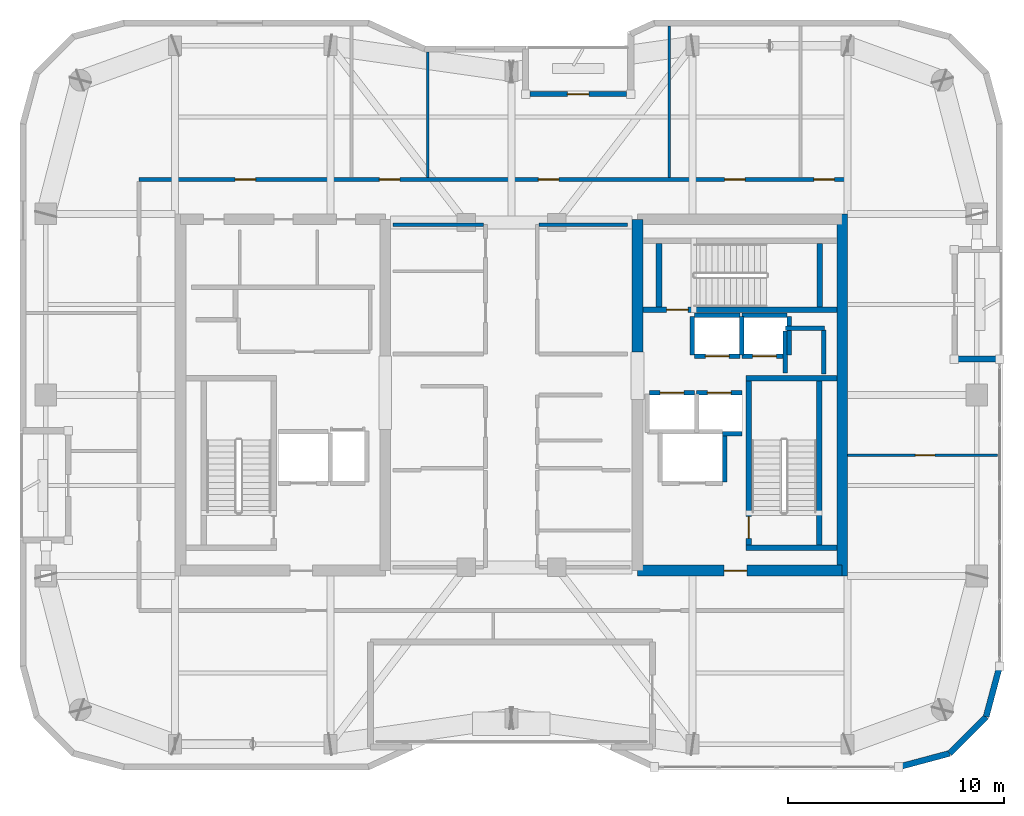
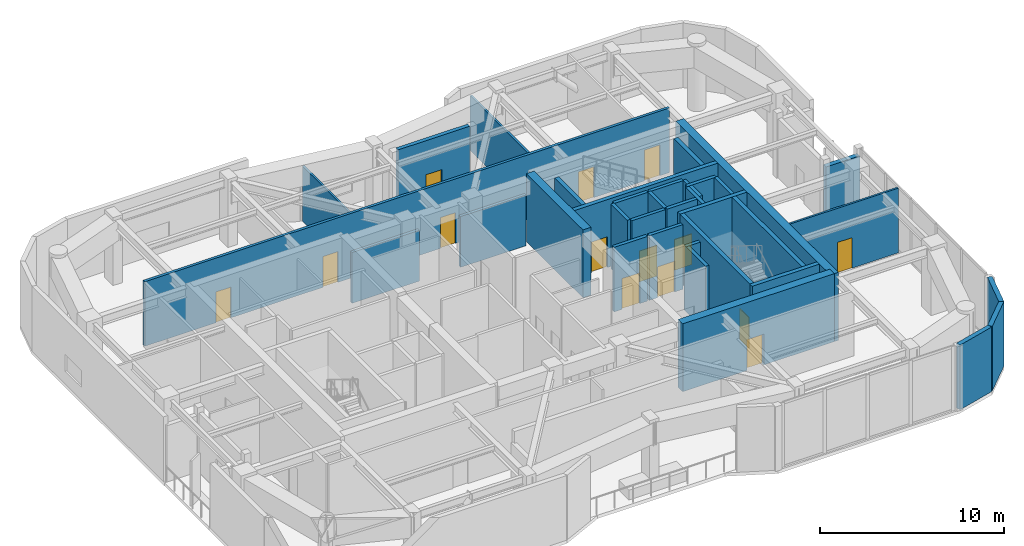
# One storey, part 11 of 14: 35 walls, 14 doors, 14 openings.
"""IFC4 building model written with IfcOpenShell, lengths in metres."""

from ifc_helpers import new_model, si_unit, direction, frame, frame_2d, origin, place, context, subcontext, project, spatial, rectangle, extrude, material, layer, layer_set, type_object, element, fill, save


model = new_model("IFC4")

# Units and contexts
model_context = context("Model", 3, precision=1e-05, world=origin(), true_north=direction((0.0, 1.0)))
body_context = subcontext(model_context, "Body", "Model", "MODEL_VIEW")
ifc_project = project(units=[si_unit("LENGTHUNIT", "METRE"), si_unit("AREAUNIT", "SQUARE_METRE"), si_unit("VOLUMEUNIT", "CUBIC_METRE"), si_unit("PLANEANGLEUNIT", "RADIAN"), si_unit("MASSUNIT", "GRAM", prefix="KILO")], contexts=[model_context])

# Site, building, storey
site_placement = place(None, origin())
site = spatial("IfcSite", under=ifc_project, at=site_placement, CompositionType="ELEMENT")
building_placement = place(site_placement, origin())
building = spatial("IfcBuilding", under=site, at=building_placement, Name="Kiyonajd Concourse Tower", CompositionType="ELEMENT")
storey_placement = place(building_placement, frame((0.0, 0.0, 294.0)))
storey = spatial("IfcBuildingStorey", under=building, at=storey_placement, Name="L74", CompositionType="ELEMENT", Elevation=294.0)

# Walls
ifc_material_1 = material(Name="Concrete C60/75", Category="concrete")
ifc_layer_1 = layer(ifc_material_1, 0.5)
ifc_layer_set_1 = layer_set([ifc_layer_1], Name="Concrete C60/75")
wall_type_1 = type_object("IfcWallType", Name="WL-CORE-500", PredefinedType="SHEAR", material=ifc_layer_set_1)
wall_1_placement = place(storey_placement, frame((53.85009765625, 38.0, 0.0), z_axis=(0.0, 0.0, 1.0), x_axis=(0.0, 1.0, 0.0)))
element("IfcWall", 1, at=wall_1_placement, inside=storey, type_object=wall_type_1, Name="L74 East Core Inner North Shear Wall", PredefinedType="SHEAR", context=body_context, shape_type="SweptSolid", body=[
    extrude(rectangle(XDim=6.14990234375, YDim=0.5, at=frame_2d((3.074951171875, 0.0))), origin(), (0.0, 0.0, 1.0), 4.5),
])
wall_2_placement = place(storey_placement, frame((63.35009765625, 27.60009765625, 0.0), z_axis=(0.0, 0.0, 1.0), x_axis=(0.0, 1.0, 0.0)))
element("IfcWall", 2, at=wall_2_placement, inside=storey, type_object=wall_type_1, Name="L74 East Core Outer Shear Wall", PredefinedType="SHEAR", context=body_context, shape_type="SweptSolid", body=[
    extrude(rectangle(XDim=16.7998046875, YDim=0.5, at=frame_2d((8.39990234375, 0.0))), origin(), (0.0, 0.0, 1.0), 4.5),
])

# Wall, opening, door
wall_3_placement = place(storey_placement, frame((53.85009765625, 27.85009765625, 0.0), z_axis=(0.0, 0.0, 1.0), x_axis=(1.0, 0.0, 0.0)))
wall_3 = element("IfcWall", 3, at=wall_3_placement, inside=storey, type_object=wall_type_1, Name="L74 East Core South Shear Wall", PredefinedType="SHEAR", context=body_context, shape_type="SweptSolid", body=[
    extrude(rectangle(XDim=9.5, YDim=0.5, at=frame_2d((4.75, 0.0))), origin(), (0.0, 0.0, 1.0), 4.5),
])
opening_1_placement = place(wall_3_placement, frame((4.02490234375, 0.0, 0.0)))
opening_1 = element("IfcOpeningElement", 4, at=opening_1_placement, cuts=wall_3, Name="Opening DF5", PredefinedType="OPENING", context=body_context, shape_type="SweptSolid", body=[
    extrude(rectangle(XDim=1.050048828125, YDim=2.0400390625, at=frame_2d((0.52490234375, 1.02001953125))), frame((0.0, 0.260009765625, 0.0), z_axis=(0.0, -1.0, 0.0), x_axis=(1.0, 0.0, 0.0)), (0.0, 0.0, 1.0), 0.52001953125),
])
ifc_material_2 = material(Name="Brushed Stainless Steel Cab Assembly", Category="steel")
door_type_1 = type_object("IfcDoorType", Name="DR-FD45-1050", OperationType="NOTDEFINED", PredefinedType="DOOR", material=ifc_material_2)
door_1_placement = place(opening_1_placement, origin())
door_1 = element("IfcDoor", 5, at=door_1_placement, inside=storey, type_object=door_type_1, Name="L74 Firefighting Lift Lobby E Smoke Door", OperationType="SINGLE_SWING_RIGHT", OverallHeight=2.0400390625, OverallWidth=1.050048828125, PredefinedType="DOOR", context=body_context, shape_type="SweptSolid", body=[
    extrude(rectangle(XDim=1.050048828125, YDim=2.0400390625, at=frame_2d((0.52490234375, 1.02001953125))), frame((0.0, 0.02490234375, 0.0), z_axis=(0.0, -1.0, 0.0), x_axis=(1.0, 0.0, 0.0)), (0.0, 0.0, 1.0), 0.050048828125),
])
fill(opening_1, door_1)

# Walls
ifc_material_3 = material(Name="Precast concrete C50/60", Category="concrete")
ifc_layer_2 = layer(ifc_material_3, 0.280029296875)
ifc_layer_set_2 = layer_set([ifc_layer_2], Name="Precast concrete C50/60")
wall_type_2 = type_object("IfcWallType", Name="WL-EXT-280", PredefinedType="SOLIDWALL", material=ifc_layer_set_2)
wall_4_placement = place(storey_placement, frame((68.56005859375, 37.659912109375, 0.0), z_axis=(0.0, 0.0, 1.0), x_axis=(1.0, 0.0, 0.0)))
element("IfcWall", 6, at=wall_4_placement, inside=storey, type_object=wall_type_2, Name="L74 Exterior Concrete Frame Wall 04", PredefinedType="SOLIDWALL", context=body_context, shape_type="SweptSolid", body=[
    extrude(rectangle(XDim=2.099853515625, YDim=0.280029296875, at=frame_2d((1.0498046875, 0.0))), origin(), (0.0, 0.0, 1.0), 3.72607421875),
])
wall_5_placement = place(storey_placement, frame((70.659912109375, 23.41845703125, 0.0), z_axis=(0.0, 0.0, 1.0), x_axis=(-0.258751159445, -0.965944013639, 0.0)))
element("IfcWall", 7, at=wall_5_placement, inside=storey, type_object=wall_type_2, Name="L74 Exterior Concrete Frame Wall 06", PredefinedType="SOLIDWALL", context=body_context, shape_type="SweptSolid", body=[
    extrude(rectangle(XDim=2.4287109375, YDim=0.280029296875, at=frame_2d((1.21435546875, 0.0))), origin(), (0.0, 0.0, 1.0), 4.280029296875),
])
wall_6_placement = place(storey_placement, frame((70.031494140625, 21.072509765625, 0.0), z_axis=(0.0, 0.0, 1.0), x_axis=(-0.707106781187, -0.707106781187, 0.0)))
element("IfcWall", 8, at=wall_6_placement, inside=storey, type_object=wall_type_2, Name="L74 Exterior Concrete Frame Wall 07", PredefinedType="SOLIDWALL", context=body_context, shape_type="SweptSolid", body=[
    extrude(rectangle(XDim=2.409912109375, YDim=0.280029296875, at=frame_2d((1.205078125, 0.0))), origin(), (0.0, 0.0, 1.0), 4.280029296875),
])
wall_7_placement = place(storey_placement, frame((68.327392578125, 19.368408203125, 0.0), z_axis=(0.0, 0.0, 1.0), x_axis=(-0.965937282298, -0.25877628691, 0.0)))
element("IfcWall", 9, at=wall_7_placement, inside=storey, type_object=wall_type_2, Name="L74 Exterior Concrete Frame Wall 08", PredefinedType="SOLIDWALL", context=body_context, shape_type="SweptSolid", body=[
    extrude(rectangle(XDim=2.428466796875, YDim=0.280029296875, at=frame_2d((1.21435546875, 0.0))), origin(), (0.0, 0.0, 1.0), 4.280029296875),
])

# Wall, opening, door
ifc_layer_3 = layer(ifc_material_3, 0.239990234375)
ifc_layer_set_3 = layer_set([ifc_layer_3], Name="Precast concrete C50/60")
wall_type_3 = type_object("IfcWallType", Name="WL-LOG-240", PredefinedType="SOLIDWALL", material=ifc_layer_set_3)
wall_8_placement = place(storey_placement, frame((48.85498046875, 49.9599609375, 0.0), z_axis=(0.0, 0.0, 1.0), x_axis=(1.0, 0.0, 0.0)))
wall_8 = element("IfcWall", 10, at=wall_8_placement, inside=storey, type_object=wall_type_3, Name="L74 Recessed Loggia Thermal Wall LOG-N", PredefinedType="SOLIDWALL", context=body_context, shape_type="SweptSolid", body=[
    extrude(rectangle(XDim=4.489990234375, YDim=0.239990234375, at=frame_2d((2.2451171875, 0.0))), origin(), (0.0, 0.0, 1.0), 4.280029296875),
])
opening_2_placement = place(wall_8_placement, frame((1.7451171875, 0.0, 0.0)))
opening_2 = element("IfcOpeningElement", 11, at=opening_2_placement, cuts=wall_8, Name="Opening DL1", PredefinedType="OPENING", context=body_context, shape_type="SweptSolid", body=[
    extrude(rectangle(XDim=1.0, YDim=2.02001953125, at=frame_2d((0.5, 1.010009765625))), frame((0.0, 0.1298828125, 0.0), z_axis=(0.0, -1.0, 0.0), x_axis=(1.0, 0.0, 0.0)), (0.0, 0.0, 1.0), 0.260009765625),
])
ifc_material_4 = material(Name="Thermally Broken Anodised Aluminium", Category="aluminium")
door_type_2 = type_object("IfcDoorType", Name="DR-LOG-1000", OperationType="NOTDEFINED", PredefinedType="DOOR", material=ifc_material_4)
door_2_placement = place(opening_2_placement, origin())
door_2 = element("IfcDoor", 12, at=door_2_placement, inside=storey, type_object=door_type_2, Name="L74 Engawa Loggia Access Door LOG-N", OperationType="SINGLE_SWING_LEFT", OverallHeight=2.02001953125, OverallWidth=1.0, PredefinedType="DOOR", context=body_context, shape_type="SweptSolid", body=[
    extrude(rectangle(XDim=1.0, YDim=2.02001953125, at=frame_2d((0.5, 1.010009765625))), frame((0.0, 0.02490234375, 0.0), z_axis=(0.0, -1.0, 0.0), x_axis=(1.0, 0.0, 0.0)), (0.0, 0.0, 1.0), 0.050048828125),
])
fill(opening_2, door_2)

# Walls
ifc_material_5 = material(Name="Gypsum Board on Cold-Formed Steel Stud", Category="steel")
ifc_layer_4 = layer(ifc_material_5, 0.125)
ifc_layer_set_4 = layer_set([ifc_layer_4], Name="Gypsum Board on Cold-Formed Steel Stud")
wall_type_4 = type_object("IfcWallType", Name="WL-PART-125", PredefinedType="PARTITIONING", material=ifc_layer_set_4)
wall_9_placement = place(storey_placement, frame((44.1201171875, 46.0869140625, 0.0), z_axis=(0.0, 0.0, 1.0), x_axis=(0.0, 1.0, 0.0)))
element("IfcWall", 13, at=wall_9_placement, inside=storey, type_object=wall_type_4, Name="L74 Interior Partition Wall", PredefinedType="PARTITIONING", context=body_context, shape_type="SweptSolid", body=[
    extrude(rectangle(XDim=5.838134765625, YDim=0.125, at=frame_2d((2.9189453125, 0.0))), origin(), (0.0, 0.0, 1.0), 3.64306640625),
])
wall_10_placement = place(storey_placement, frame((55.330078125, 46.0869140625, 0.0), z_axis=(0.0, 0.0, 1.0), x_axis=(0.0, 1.0, 0.0)))
element("IfcWall", 14, at=wall_10_placement, inside=storey, type_object=wall_type_4, Name="L74 Interior Partition Wall", PredefinedType="PARTITIONING", context=body_context, shape_type="SweptSolid", body=[
    extrude(rectangle(XDim=7.0380859375, YDim=0.125, at=frame_2d((3.51904296875, 0.0))), origin(), (0.0, 0.0, 1.0), 3.64306640625),
])

# Wall, opening, door
wall_11_placement = place(storey_placement, frame((63.60009765625, 33.199951171875, 0.0), z_axis=(0.0, 0.0, 1.0), x_axis=(1.0, 0.0, 0.0)))
wall_11 = element("IfcWall", 15, at=wall_11_placement, inside=storey, type_object=wall_type_4, Name="L74 Interior Partition Wall", PredefinedType="PARTITIONING", context=body_context, shape_type="SweptSolid", body=[
    extrude(rectangle(XDim=6.954833984375, YDim=0.125, at=frame_2d((3.4775390625, 0.0))), origin(), (0.0, 0.0, 1.0), 4.280029296875),
])
opening_3_placement = place(wall_11_placement, frame((3.14990234375, 0.0, 0.0)))
opening_3 = element("IfcOpeningElement", 16, at=opening_3_placement, cuts=wall_11, Name="Opening DI2", PredefinedType="OPENING", context=body_context, shape_type="SweptSolid", body=[
    extrude(rectangle(XDim=0.89990234375, YDim=2.02001953125, at=frame_2d((0.449951171875, 1.010009765625))), frame((0.0, 0.072509765625, 0.0), z_axis=(0.0, -1.0, 0.0), x_axis=(1.0, 0.0, 0.0)), (0.0, 0.0, 1.0), 0.14501953125),
])
ifc_material_6 = material(Name="Natural Oak Acoustic Timber Veneer", Category="wood")
door_type_3 = type_object("IfcDoorType", Name="DR-INT-900", OperationType="NOTDEFINED", PredefinedType="DOOR", material=ifc_material_6)
door_3_placement = place(opening_3_placement, origin())
door_3 = element("IfcDoor", 17, at=door_3_placement, inside=storey, type_object=door_type_3, Name="L74 Interior Door", OperationType="SINGLE_SWING_LEFT", OverallHeight=2.02001953125, OverallWidth=0.89990234375, PredefinedType="DOOR", context=body_context, shape_type="SweptSolid", body=[
    extrude(rectangle(XDim=0.89990234375, YDim=2.02001953125, at=frame_2d((0.449951171875, 1.010009765625))), frame((0.0, 0.02490234375, 0.0), z_axis=(0.0, -1.0, 0.0), x_axis=(1.0, 0.0, 0.0)), (0.0, 0.0, 1.0), 0.050048828125),
])
fill(opening_3, door_3)

# Walls
ifc_layer_5 = layer(ifc_material_5, 0.2099609375)
ifc_layer_set_5 = layer_set([ifc_layer_5], Name="Gypsum Board on Cold-Formed Steel Stud")
wall_type_5 = type_object("IfcWallType", Name="WL-SHAFT-210", PredefinedType="PARTITIONING", material=ifc_layer_set_5)
wall_12_placement = place(storey_placement, frame((60.719970703125, 39.10009765625, 0.0), z_axis=(0.0, 0.0, 1.0), x_axis=(1.0, 0.0, 0.0)))
element("IfcWall", 18, at=wall_12_placement, inside=storey, type_object=wall_type_5, Name="L74 Shaft Enclosure Wall", PredefinedType="PARTITIONING", context=body_context, shape_type="SweptSolid", body=[
    extrude(rectangle(XDim=1.800048828125, YDim=0.2099609375, at=frame_2d((0.89990234375, 0.0))), origin(), (0.0, 0.0, 1.0), 4.280029296875),
])
wall_13_placement = place(storey_placement, frame((60.699951171875, 37.02001953125, 0.0), z_axis=(0.0, 0.0, 1.0), x_axis=(0.0, 1.0, 0.0)))
element("IfcWall", 19, at=wall_13_placement, inside=storey, type_object=wall_type_5, Name="L74 Shaft Enclosure Wall", PredefinedType="PARTITIONING", context=body_context, shape_type="SweptSolid", body=[
    extrude(rectangle(XDim=1.9599609375, YDim=0.2099609375, at=frame_2d((0.97998046875, 0.0))), origin(), (0.0, 0.0, 1.0), 4.280029296875),
])
wall_14_placement = place(storey_placement, frame((62.5, 36.97998046875, 0.0), z_axis=(0.0, 0.0, 1.0), x_axis=(0.0, 1.0, 0.0)))
element("IfcWall", 20, at=wall_14_placement, inside=storey, type_object=wall_type_5, Name="L74 Shaft Enclosure Wall", PredefinedType="PARTITIONING", context=body_context, shape_type="SweptSolid", body=[
    extrude(rectangle(XDim=2.0400390625, YDim=0.2099609375, at=frame_2d((1.02001953125, 0.0))), origin(), (0.0, 0.0, 1.0), 4.280029296875),
])
wall_15_placement = place(storey_placement, frame((57.89990234375, 31.9599609375, 0.0), z_axis=(0.0, 0.0, 1.0), x_axis=(0.0, 1.0, 0.0)))
element("IfcWall", 21, at=wall_15_placement, inside=storey, type_object=wall_type_5, Name="L74 Shaft Enclosure Wall", PredefinedType="PARTITIONING", context=body_context, shape_type="SweptSolid", body=[
    extrude(rectangle(XDim=2.280029296875, YDim=0.2099609375, at=frame_2d((1.14013671875, 0.0))), origin(), (0.0, 0.0, 1.0), 4.280029296875),
])

# Wall, opening, door
wall_16_placement = place(storey_placement, frame((54.39990234375, 36.10009765625, 0.0), z_axis=(0.0, 0.0, 1.0), x_axis=(1.0, 0.0, 0.0)))
wall_16 = element("IfcWall", 22, at=wall_16_placement, inside=storey, type_object=wall_type_5, Name="L74 Shaft Enclosure Wall", PredefinedType="PARTITIONING", context=body_context, shape_type="SweptSolid", body=[
    extrude(rectangle(XDim=2.10009765625, YDim=0.2099609375, at=frame_2d((1.050048828125, 0.0))), origin(), (0.0, 0.0, 1.0), 4.280029296875),
])
opening_4_placement = place(wall_16_placement, frame((0.5, 0.0, 0.0)))
opening_4 = element("IfcOpeningElement", 23, at=opening_4_placement, cuts=wall_16, Name="Opening LD1", PredefinedType="OPENING", context=body_context, shape_type="SweptSolid", body=[
    extrude(rectangle(XDim=1.10009765625, YDim=2.0400390625, at=frame_2d((0.550048828125, 1.02001953125))), frame((0.0, 0.114990234375, 0.0), z_axis=(0.0, -1.0, 0.0), x_axis=(1.0, 0.0, 0.0)), (0.0, 0.0, 1.0), 0.22998046875),
])
door_type_4 = type_object("IfcDoorType", Name="DR-LD-1100", OperationType="DOUBLE_DOOR_SLIDING", PredefinedType="DOOR", material=ifc_material_2)
door_4_placement = place(opening_4_placement, origin())
door_4 = element("IfcDoor", 24, at=door_4_placement, inside=storey, type_object=door_type_4, Name="L74 Lift PL-H1 Sliding Landing Door", OperationType="DOUBLE_DOOR_SLIDING", OverallHeight=2.0400390625, OverallWidth=1.10009765625, PredefinedType="DOOR", context=body_context, shape_type="SweptSolid", body=[
    extrude(rectangle(XDim=1.10009765625, YDim=2.0400390625, at=frame_2d((0.550048828125, 1.02001953125))), frame((0.0, 0.02490234375, 0.0), z_axis=(0.0, -1.0, 0.0), x_axis=(1.0, 0.0, 0.0)), (0.0, 0.0, 1.0), 0.050048828125),
])
fill(opening_4, door_4)

wall_17_placement = place(storey_placement, frame((56.60009765625, 36.10009765625, 0.0), z_axis=(0.0, 0.0, 1.0), x_axis=(1.0, 0.0, 0.0)))
wall_17 = element("IfcWall", 25, at=wall_17_placement, inside=storey, type_object=wall_type_5, Name="L74 Shaft Enclosure Wall", PredefinedType="PARTITIONING", context=body_context, shape_type="SweptSolid", body=[
    extrude(rectangle(XDim=2.099853515625, YDim=0.2099609375, at=frame_2d((1.0498046875, 0.0))), origin(), (0.0, 0.0, 1.0), 4.280029296875),
])
opening_5_placement = place(wall_17_placement, frame((0.5, 0.0, 0.0)))
opening_5 = element("IfcOpeningElement", 26, at=opening_5_placement, cuts=wall_17, Name="Opening LD1", PredefinedType="OPENING", context=body_context, shape_type="SweptSolid", body=[
    extrude(rectangle(XDim=1.10009765625, YDim=2.0400390625, at=frame_2d((0.550048828125, 1.02001953125))), frame((0.0, 0.114990234375, 0.0), z_axis=(0.0, -1.0, 0.0), x_axis=(1.0, 0.0, 0.0)), (0.0, 0.0, 1.0), 0.22998046875),
])
door_5_placement = place(opening_5_placement, origin())
door_5 = element("IfcDoor", 27, at=door_5_placement, inside=storey, type_object=door_type_4, Name="L74 Lift PL-H2 Sliding Landing Door", OperationType="DOUBLE_DOOR_SLIDING", OverallHeight=2.0400390625, OverallWidth=1.10009765625, PredefinedType="DOOR", context=body_context, shape_type="SweptSolid", body=[
    extrude(rectangle(XDim=1.10009765625, YDim=2.0400390625, at=frame_2d((0.550048828125, 1.02001953125))), frame((0.0, 0.02490234375, 0.0), z_axis=(0.0, -1.0, 0.0), x_axis=(1.0, 0.0, 0.0)), (0.0, 0.0, 1.0), 0.050048828125),
])
fill(opening_5, door_5)

# Wall
wall_18_placement = place(storey_placement, frame((57.800048828125, 34.199951171875, 0.0), z_axis=(0.0, 0.0, 1.0), x_axis=(1.0, 0.0, 0.0)))
element("IfcWall", 28, at=wall_18_placement, inside=storey, type_object=wall_type_5, Name="L74 Shaft Enclosure Wall", PredefinedType="PARTITIONING", context=body_context, shape_type="SweptSolid", body=[
    extrude(rectangle(XDim=0.89990234375, YDim=0.2099609375, at=frame_2d((0.449951171875, 0.0))), origin(), (0.0, 0.0, 1.0), 4.280029296875),
])

# Wall, opening, door
wall_19_placement = place(storey_placement, frame((56.5, 37.800048828125, 0.0), z_axis=(0.0, 0.0, 1.0), x_axis=(1.0, 0.0, 0.0)))
wall_19 = element("IfcWall", 29, at=wall_19_placement, inside=storey, type_object=wall_type_5, Name="L74 Shaft Enclosure Wall", PredefinedType="PARTITIONING", context=body_context, shape_type="SweptSolid", body=[
    extrude(rectangle(XDim=2.10009765625, YDim=0.2099609375, at=frame_2d((1.050048828125, 0.0))), origin(), (0.0, 0.0, 1.0), 4.280029296875),
])
opening_6_placement = place(wall_19_placement, frame((0.5, 0.0, 0.0)))
opening_6 = element("IfcOpeningElement", 30, at=opening_6_placement, cuts=wall_19, Name="Opening LD1", PredefinedType="OPENING", context=body_context, shape_type="SweptSolid", body=[
    extrude(rectangle(XDim=1.10009765625, YDim=2.0400390625, at=frame_2d((0.550048828125, 1.02001953125))), frame((0.0, 0.114990234375, 0.0), z_axis=(0.0, -1.0, 0.0), x_axis=(1.0, 0.0, 0.0)), (0.0, 0.0, 1.0), 0.22998046875),
])
door_6_placement = place(opening_6_placement, origin())
door_6 = element("IfcDoor", 31, at=door_6_placement, inside=storey, type_object=door_type_4, Name="L74 Lift PL-H3 Sliding Landing Door", OperationType="DOUBLE_DOOR_SLIDING", OverallHeight=2.0400390625, OverallWidth=1.10009765625, PredefinedType="DOOR", context=body_context, shape_type="SweptSolid", body=[
    extrude(rectangle(XDim=1.10009765625, YDim=2.0400390625, at=frame_2d((0.550048828125, 1.02001953125))), frame((0.0, 0.02490234375, 0.0), z_axis=(0.0, -1.0, 0.0), x_axis=(1.0, 0.0, 0.0)), (0.0, 0.0, 1.0), 0.050048828125),
])
fill(opening_6, door_6)

# Walls
wall_20_placement = place(storey_placement, frame((56.5, 39.699951171875, 0.0), z_axis=(0.0, 0.0, 1.0), x_axis=(1.0, 0.0, 0.0)))
element("IfcWall", 32, at=wall_20_placement, inside=storey, type_object=wall_type_5, Name="L74 Shaft Enclosure Wall", PredefinedType="PARTITIONING", context=body_context, shape_type="SweptSolid", body=[
    extrude(rectangle(XDim=2.10009765625, YDim=0.2099609375, at=frame_2d((1.050048828125, 0.0))), origin(), (0.0, 0.0, 1.0), 4.280029296875),
])
for number, where, z_axis, x_axis, name in (
    (33, (56.39990234375, 37.860107421875, 0.0), (0.0, 0.0, 1.0), (0.0, 1.0, 0.0), "L74 Shaft Enclosure Wall"),
    (34, (58.699951171875, 37.860107421875, 0.0), (0.0, 0.0, 1.0), (0.0, 1.0, 0.0), "L74 Shaft Enclosure Wall"),
):
    element("IfcWall", number, at=place(storey_placement, frame(where, z_axis=z_axis, x_axis=x_axis)), inside=storey, type_object=wall_type_5, Name=name, PredefinedType="PARTITIONING", context=body_context, shape_type="SweptSolid", body=[
        extrude(rectangle(XDim=1.77978515625, YDim=0.2099609375, at=frame_2d((0.889892578125, 0.0))), origin(), (0.0, 0.0, 1.0), 4.280029296875),
    ])

# Wall, opening, door
wall_21_placement = place(storey_placement, frame((58.699951171875, 37.800048828125, 0.0), z_axis=(0.0, 0.0, 1.0), x_axis=(1.0, 0.0, 0.0)))
wall_21 = element("IfcWall", 35, at=wall_21_placement, inside=storey, type_object=wall_type_5, Name="L74 Shaft Enclosure Wall", PredefinedType="PARTITIONING", context=body_context, shape_type="SweptSolid", body=[
    extrude(rectangle(XDim=2.10009765625, YDim=0.2099609375, at=frame_2d((1.050048828125, 0.0))), origin(), (0.0, 0.0, 1.0), 4.280029296875),
])
opening_7_placement = place(wall_21_placement, frame((0.5, 0.0, 0.0)))
opening_7 = element("IfcOpeningElement", 36, at=opening_7_placement, cuts=wall_21, Name="Opening LD1", PredefinedType="OPENING", context=body_context, shape_type="SweptSolid", body=[
    extrude(rectangle(XDim=1.10009765625, YDim=2.0400390625, at=frame_2d((0.550048828125, 1.02001953125))), frame((0.0, 0.114990234375, 0.0), z_axis=(0.0, -1.0, 0.0), x_axis=(1.0, 0.0, 0.0)), (0.0, 0.0, 1.0), 0.22998046875),
])
door_7_placement = place(opening_7_placement, origin())
door_7 = element("IfcDoor", 37, at=door_7_placement, inside=storey, type_object=door_type_4, Name="L74 Lift PL-H4 Sliding Landing Door", OperationType="DOUBLE_DOOR_SLIDING", OverallHeight=2.0400390625, OverallWidth=1.10009765625, PredefinedType="DOOR", context=body_context, shape_type="SweptSolid", body=[
    extrude(rectangle(XDim=1.10009765625, YDim=2.0400390625, at=frame_2d((0.550048828125, 1.02001953125))), frame((0.0, 0.02490234375, 0.0), z_axis=(0.0, -1.0, 0.0), x_axis=(1.0, 0.0, 0.0)), (0.0, 0.0, 1.0), 0.050048828125),
])
fill(opening_7, door_7)

# Walls
wall_22_placement = place(storey_placement, frame((58.699951171875, 39.699951171875, 0.0), z_axis=(0.0, 0.0, 1.0), x_axis=(1.0, 0.0, 0.0)))
element("IfcWall", 38, at=wall_22_placement, inside=storey, type_object=wall_type_5, Name="L74 Shaft Enclosure Wall", PredefinedType="PARTITIONING", context=body_context, shape_type="SweptSolid", body=[
    extrude(rectangle(XDim=2.10009765625, YDim=0.2099609375, at=frame_2d((1.050048828125, 0.0))), origin(), (0.0, 0.0, 1.0), 4.280029296875),
])
wall_23_placement = place(storey_placement, frame((60.89990234375, 37.860107421875, 0.0), z_axis=(0.0, 0.0, 1.0), x_axis=(0.0, 1.0, 0.0)))
element("IfcWall", 39, at=wall_23_placement, inside=storey, type_object=wall_type_5, Name="L74 Shaft Enclosure Wall", PredefinedType="PARTITIONING", context=body_context, shape_type="SweptSolid", body=[
    extrude(rectangle(XDim=1.77978515625, YDim=0.2099609375, at=frame_2d((0.889892578125, 0.0))), origin(), (0.0, 0.0, 1.0), 4.280029296875),
])
ifc_layer_6 = layer(ifc_material_5, 0.169921875)
ifc_layer_set_6 = layer_set([ifc_layer_6], Name="Gypsum Board on Cold-Formed Steel Stud")
wall_type_6 = type_object("IfcWallType", Name="WL-SMK-170", PredefinedType="PARTITIONING", material=ifc_layer_set_6)
wall_24_placement = place(storey_placement, frame((42.5, 43.89990234375, 0.0), z_axis=(0.0, 0.0, 1.0), x_axis=(1.0, 0.0, 0.0)))
element("IfcWall", 40, at=wall_24_placement, inside=storey, type_object=wall_type_6, Name="L74 Interior Partition Wall", PredefinedType="PARTITIONING", context=body_context, shape_type="SweptSolid", body=[
    extrude(rectangle(XDim=4.212890625, YDim=0.169921875, at=frame_2d((2.1064453125, 0.0))), origin(), (0.0, 0.0, 1.0), 3.364990234375),
])
wall_25_placement = place(storey_placement, frame((49.287109375, 43.89990234375, 0.0), z_axis=(0.0, 0.0, 1.0), x_axis=(1.0, 0.0, 0.0)))
element("IfcWall", 41, at=wall_25_placement, inside=storey, type_object=wall_type_6, Name="L74 Interior Partition Wall", PredefinedType="PARTITIONING", context=body_context, shape_type="SweptSolid", body=[
    extrude(rectangle(XDim=4.11279296875, YDim=0.169921875, at=frame_2d((2.056396484375, 0.0))), origin(), (0.0, 0.0, 1.0), 3.364990234375),
])

# Wall, openings, doors
wall_26_placement = place(storey_placement, frame((30.72509765625, 46.0, 0.0), z_axis=(0.0, 0.0, 1.0), x_axis=(1.0, 0.0, 0.0)))
wall_26 = element("IfcWall", 42, at=wall_26_placement, inside=storey, type_object=wall_type_6, Name="L74 Interior Partition Wall", PredefinedType="PARTITIONING", context=body_context, shape_type="SweptSolid", body=[
    extrude(rectangle(XDim=32.875, YDim=0.169921875, at=frame_2d((16.4375, 0.0))), origin(), (0.0, 0.0, 1.0), 4.280029296875),
])
opening_8_placement = place(wall_26_placement, frame((4.452880859375, 0.0, 0.0)))
opening_8 = element("IfcOpeningElement", 43, at=opening_8_placement, cuts=wall_26, Name="Opening DI1", PredefinedType="OPENING", context=body_context, shape_type="SweptSolid", body=[
    extrude(rectangle(XDim=0.949951171875, YDim=2.0400390625, at=frame_2d((0.47509765625, 1.02001953125))), frame((0.0, 0.094970703125, 0.0), z_axis=(0.0, -1.0, 0.0), x_axis=(1.0, 0.0, 0.0)), (0.0, 0.0, 1.0), 0.18994140625),
])
opening_9_placement = place(wall_26_placement, frame((11.14990234375, 0.0, 0.0)))
opening_9 = element("IfcOpeningElement", 44, at=opening_9_placement, cuts=wall_26, Name="Opening DI1", PredefinedType="OPENING", context=body_context, shape_type="SweptSolid", body=[
    extrude(rectangle(XDim=0.949951171875, YDim=2.0400390625, at=frame_2d((0.47509765625, 1.02001953125))), frame((0.0, 0.094970703125, 0.0), z_axis=(0.0, -1.0, 0.0), x_axis=(1.0, 0.0, 0.0)), (0.0, 0.0, 1.0), 0.18994140625),
])
opening_10_placement = place(wall_26_placement, frame((18.52490234375, 0.0, 0.0)))
opening_10 = element("IfcOpeningElement", 45, at=opening_10_placement, cuts=wall_26, Name="Opening DI1", PredefinedType="OPENING", context=body_context, shape_type="SweptSolid", body=[
    extrude(rectangle(XDim=0.949951171875, YDim=2.0400390625, at=frame_2d((0.47509765625, 1.02001953125))), frame((0.0, 0.094970703125, 0.0), z_axis=(0.0, -1.0, 0.0), x_axis=(1.0, 0.0, 0.0)), (0.0, 0.0, 1.0), 0.18994140625),
])
opening_11_placement = place(wall_26_placement, frame((27.175048828125, 0.0, 0.0)))
opening_11 = element("IfcOpeningElement", 46, at=opening_11_placement, cuts=wall_26, Name="Opening DI1", PredefinedType="OPENING", context=body_context, shape_type="SweptSolid", body=[
    extrude(rectangle(XDim=0.949951171875, YDim=2.0400390625, at=frame_2d((0.47509765625, 1.02001953125))), frame((0.0, 0.094970703125, 0.0), z_axis=(0.0, -1.0, 0.0), x_axis=(1.0, 0.0, 0.0)), (0.0, 0.0, 1.0), 0.18994140625),
])
opening_12_placement = place(wall_26_placement, frame((31.31005859375, 0.0, 0.0)))
opening_12 = element("IfcOpeningElement", 47, at=opening_12_placement, cuts=wall_26, Name="Opening DI1", PredefinedType="OPENING", context=body_context, shape_type="SweptSolid", body=[
    extrude(rectangle(XDim=0.949951171875, YDim=2.0400390625, at=frame_2d((0.47509765625, 1.02001953125))), frame((0.0, 0.094970703125, 0.0), z_axis=(0.0, -1.0, 0.0), x_axis=(1.0, 0.0, 0.0)), (0.0, 0.0, 1.0), 0.18994140625),
])
door_type_5 = type_object("IfcDoorType", Name="DR-INT-950", OperationType="NOTDEFINED", PredefinedType="DOOR", material=ifc_material_6)
door_8_placement = place(opening_8_placement, origin())
door_8 = element("IfcDoor", 48, at=door_8_placement, inside=storey, type_object=door_type_5, Name="L74 Interior Door", OperationType="SINGLE_SWING_LEFT", OverallHeight=2.0400390625, OverallWidth=0.949951171875, PredefinedType="DOOR", context=body_context, shape_type="SweptSolid", body=[
    extrude(rectangle(XDim=0.949951171875, YDim=2.0400390625, at=frame_2d((0.47509765625, 1.02001953125))), frame((0.0, 0.02490234375, 0.0), z_axis=(0.0, -1.0, 0.0), x_axis=(1.0, 0.0, 0.0)), (0.0, 0.0, 1.0), 0.050048828125),
])
fill(opening_8, door_8)
door_9_placement = place(opening_9_placement, origin())
door_9 = element("IfcDoor", 49, at=door_9_placement, inside=storey, type_object=door_type_5, Name="L74 Interior Door", OperationType="SINGLE_SWING_RIGHT", OverallHeight=2.0400390625, OverallWidth=0.949951171875, PredefinedType="DOOR", context=body_context, shape_type="SweptSolid", body=[
    extrude(rectangle(XDim=0.949951171875, YDim=2.0400390625, at=frame_2d((0.47509765625, 1.02001953125))), frame((0.0, 0.02490234375, 0.0), z_axis=(0.0, -1.0, 0.0), x_axis=(1.0, 0.0, 0.0)), (0.0, 0.0, 1.0), 0.050048828125),
])
fill(opening_9, door_9)
door_10_placement = place(opening_10_placement, origin())
door_10 = element("IfcDoor", 50, at=door_10_placement, inside=storey, type_object=door_type_5, Name="L74 Interior Door", OperationType="SINGLE_SWING_LEFT", OverallHeight=2.0400390625, OverallWidth=0.949951171875, PredefinedType="DOOR", context=body_context, shape_type="SweptSolid", body=[
    extrude(rectangle(XDim=0.949951171875, YDim=2.0400390625, at=frame_2d((0.47509765625, 1.02001953125))), frame((0.0, 0.02490234375, 0.0), z_axis=(0.0, -1.0, 0.0), x_axis=(1.0, 0.0, 0.0)), (0.0, 0.0, 1.0), 0.050048828125),
])
fill(opening_10, door_10)
door_11_placement = place(opening_11_placement, origin())
door_11 = element("IfcDoor", 51, at=door_11_placement, inside=storey, type_object=door_type_5, Name="L74 Interior Door", OperationType="SINGLE_SWING_RIGHT", OverallHeight=2.0400390625, OverallWidth=0.949951171875, PredefinedType="DOOR", context=body_context, shape_type="SweptSolid", body=[
    extrude(rectangle(XDim=0.949951171875, YDim=2.0400390625, at=frame_2d((0.47509765625, 1.02001953125))), frame((0.0, 0.02490234375, 0.0), z_axis=(0.0, -1.0, 0.0), x_axis=(1.0, 0.0, 0.0)), (0.0, 0.0, 1.0), 0.050048828125),
])
fill(opening_11, door_11)
door_12_placement = place(opening_12_placement, origin())
door_12 = element("IfcDoor", 52, at=door_12_placement, inside=storey, type_object=door_type_5, Name="L74 Interior Door", OperationType="SINGLE_SWING_LEFT", OverallHeight=2.0400390625, OverallWidth=0.949951171875, PredefinedType="DOOR", context=body_context, shape_type="SweptSolid", body=[
    extrude(rectangle(XDim=0.949951171875, YDim=2.0400390625, at=frame_2d((0.47509765625, 1.02001953125))), frame((0.0, 0.02490234375, 0.0), z_axis=(0.0, -1.0, 0.0), x_axis=(1.0, 0.0, 0.0)), (0.0, 0.0, 1.0), 0.050048828125),
])
fill(opening_12, door_12)

# Walls
ifc_material_7 = material(Name="Concrete C50/60", Category="concrete")
ifc_layer_7 = layer(ifc_material_7, 0.260009765625)
ifc_layer_set_7 = layer_set([ifc_layer_7], Name="Concrete C50/60")
wall_type_7 = type_object("IfcWallType", Name="WL-STAIR-260", PredefinedType="SHEAR", material=ifc_layer_set_7)
for number, where, z_axis, x_axis, name in (
    (53, (58.889892578125, 28.919921875, 0.0), (0.0, 0.0, 1.0), (1.0, 0.0, 0.0), "L74 Stair ST2 Structural South Wall"),
    (54, (58.889892578125, 36.780029296875, 0.0), (0.0, 0.0, 1.0), (1.0, 0.0, 0.0), "L74 Stair ST2 Structural North Wall"),
):
    element("IfcWall", number, at=place(storey_placement, frame(where, z_axis=z_axis, x_axis=x_axis)), inside=storey, type_object=wall_type_7, Name=name, PredefinedType="SHEAR", context=body_context, shape_type="SweptSolid", body=[
        extrude(rectangle(XDim=4.210205078125, YDim=0.260009765625, at=frame_2d((2.10498046875, 0.0))), origin(), (0.0, 0.0, 1.0), 4.5),
    ])

# Wall, opening, door
wall_27_placement = place(storey_placement, frame((59.02001953125, 29.050048828125, 0.0), z_axis=(0.0, 0.0, 1.0), x_axis=(0.0, 1.0, 0.0)))
wall_27 = element("IfcWall", 55, at=wall_27_placement, inside=storey, type_object=wall_type_7, Name="L74 Stair ST2 Structural West Wall", PredefinedType="SHEAR", context=body_context, shape_type="SweptSolid", body=[
    extrude(rectangle(XDim=7.599853515625, YDim=0.260009765625, at=frame_2d((3.7998046875, 0.0))), origin(), (0.0, 0.0, 1.0), 4.5),
])
opening_13_placement = place(wall_27_placement, frame((0.300048828125, 0.0, 0.0)))
opening_13 = element("IfcOpeningElement", 56, at=opening_13_placement, cuts=wall_27, Name="Opening DF1", PredefinedType="OPENING", context=body_context, shape_type="SweptSolid", body=[
    extrude(rectangle(XDim=1.0, YDim=2.0400390625, at=frame_2d((0.5, 1.02001953125))), frame((0.0, 0.139892578125, 0.0), z_axis=(0.0, -1.0, 0.0), x_axis=(1.0, 0.0, 0.0)), (0.0, 0.0, 1.0), 0.280029296875),
])
door_type_6 = type_object("IfcDoorType", Name="DR-FD90-1000", OperationType="NOTDEFINED", PredefinedType="DOOR", material=ifc_material_2)
door_13_placement = place(opening_13_placement, origin())
door_13 = element("IfcDoor", 57, at=door_13_placement, inside=storey, type_object=door_type_6, Name="L74 Stair ST2 FSAE Door", OperationType="SINGLE_SWING_RIGHT", OverallHeight=2.0400390625, OverallWidth=1.0, PredefinedType="DOOR", context=body_context, shape_type="SweptSolid", body=[
    extrude(rectangle(XDim=1.0, YDim=2.0400390625, at=frame_2d((0.5, 1.02001953125))), frame((0.0, 0.02490234375, 0.0), z_axis=(0.0, -1.0, 0.0), x_axis=(1.0, 0.0, 0.0)), (0.0, 0.0, 1.0), 0.050048828125),
])
fill(opening_13, door_13)

# Wall
wall_28_placement = place(storey_placement, frame((62.280029296875, 29.050048828125, 0.0), z_axis=(0.0, 0.0, 1.0), x_axis=(0.0, 1.0, 0.0)))
element("IfcWall", 58, at=wall_28_placement, inside=storey, type_object=wall_type_7, Name="L74 Stair ST2 Structural East Wall", PredefinedType="SHEAR", context=body_context, shape_type="SweptSolid", body=[
    extrude(rectangle(XDim=7.599853515625, YDim=0.260009765625, at=frame_2d((3.7998046875, 0.0))), origin(), (0.0, 0.0, 1.0), 4.5),
])

# Wall, opening, door
wall_29_placement = place(storey_placement, frame((54.10009765625, 39.949951171875, 0.0), z_axis=(0.0, 0.0, 1.0), x_axis=(1.0, 0.0, 0.0)))
wall_29 = element("IfcWall", 59, at=wall_29_placement, inside=storey, type_object=wall_type_7, Name="L74 Stair ST3 Structural South Wall", PredefinedType="SHEAR", context=body_context, shape_type="SweptSolid", body=[
    extrude(rectangle(XDim=9.0, YDim=0.260009765625, at=frame_2d((4.5, 0.0))), origin(), (0.0, 0.0, 1.0), 4.5),
])
opening_14_placement = place(wall_29_placement, frame((1.10009765625, 0.0, 0.0)))
opening_14 = element("IfcOpeningElement", 60, at=opening_14_placement, cuts=wall_29, Name="Opening DF1", PredefinedType="OPENING", context=body_context, shape_type="SweptSolid", body=[
    extrude(rectangle(XDim=1.0, YDim=2.0400390625, at=frame_2d((0.5, 1.02001953125))), frame((0.0, 0.139892578125, 0.0), z_axis=(0.0, -1.0, 0.0), x_axis=(1.0, 0.0, 0.0)), (0.0, 0.0, 1.0), 0.280029296875),
])
door_14_placement = place(opening_14_placement, origin())
door_14 = element("IfcDoor", 61, at=door_14_placement, inside=storey, type_object=door_type_6, Name="L74 Stair ST3 Enclosure Door", OperationType="SINGLE_SWING_LEFT", OverallHeight=2.0400390625, OverallWidth=1.0, PredefinedType="DOOR", context=body_context, shape_type="SweptSolid", body=[
    extrude(rectangle(XDim=1.0, YDim=2.0400390625, at=frame_2d((0.5, 1.02001953125))), frame((0.0, 0.02490234375, 0.0), z_axis=(0.0, -1.0, 0.0), x_axis=(1.0, 0.0, 0.0)), (0.0, 0.0, 1.0), 0.050048828125),
])
fill(opening_14, door_14)

# Walls
for number, where, z_axis, x_axis, name in (
    (62, (54.85009765625, 40.080078125, 0.0), (0.0, 0.0, 1.0), (0.0, 1.0, 0.0), "L74 Stair ST3 Structural West Wall"),
    (63, (62.31005859375, 40.080078125, 0.0), (0.0, 0.0, 1.0), (0.0, 1.0, 0.0), "L74 Stair ST3 Structural East Wall"),
):
    element("IfcWall", number, at=place(storey_placement, frame(where, z_axis=z_axis, x_axis=x_axis)), inside=storey, type_object=wall_type_7, Name=name, PredefinedType="SHEAR", context=body_context, shape_type="SweptSolid", body=[
        extrude(rectangle(XDim=2.93994140625, YDim=0.260009765625, at=frame_2d((1.469970703125, 0.0))), origin(), (0.0, 0.0, 1.0), 4.5),
    ])

save(model, "model.ifc")
